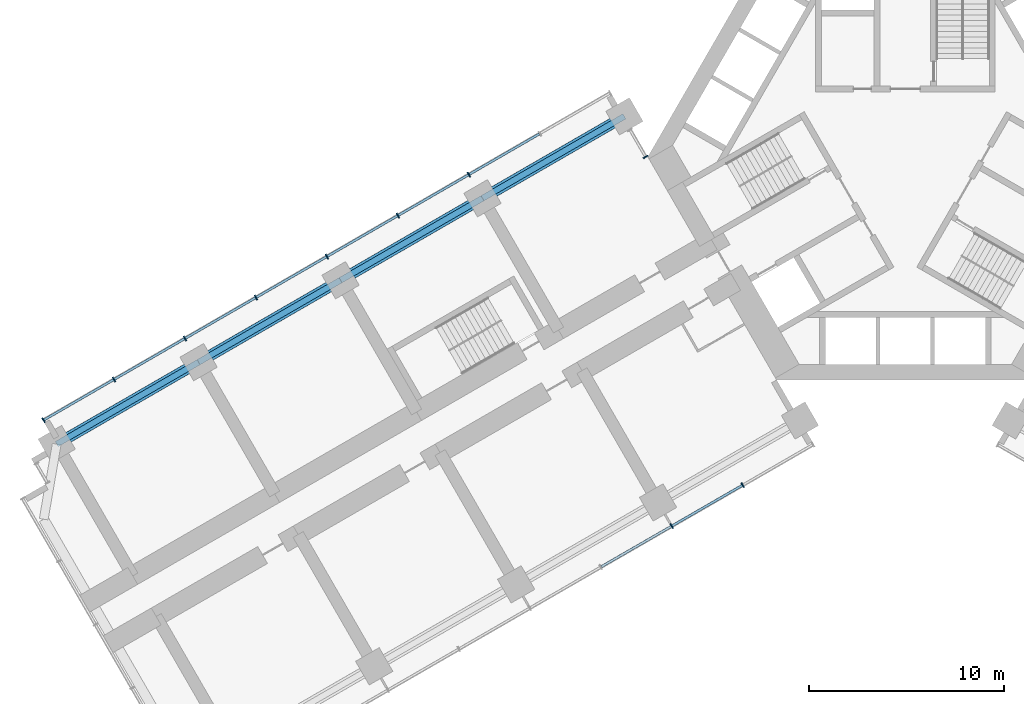
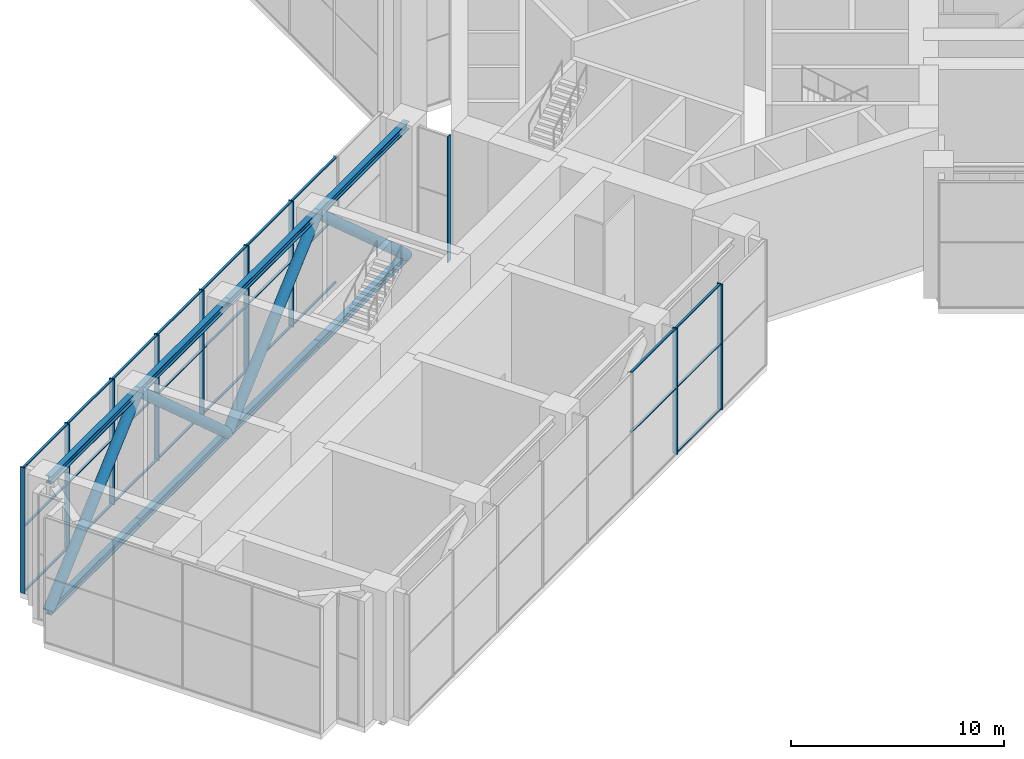
# One storey, part 3 of 19: 48 members, 3 elements without a shape of their own.
"""IFC4 building model written with IfcOpenShell, lengths in metres."""

from ifc_helpers import new_model, si_unit, direction, frame, origin, origin_2d, place, context, subcontext, project, spatial, rectangle, hollow_circle, i_section, extrude, material, material_profile, profile_set, type_object, element, aggregate, save


model = new_model("IFC4")

# Units and contexts
model_context = context("Model", 3, precision=1e-05, world=origin(), true_north=direction((0.0, 1.0)))
body_context = subcontext(model_context, "Body", "Model", "MODEL_VIEW")
ifc_project = project(units=[si_unit("LENGTHUNIT", "METRE"), si_unit("AREAUNIT", "SQUARE_METRE"), si_unit("VOLUMEUNIT", "CUBIC_METRE"), si_unit("PLANEANGLEUNIT", "RADIAN"), si_unit("MASSUNIT", "GRAM", prefix="KILO")], contexts=[model_context])

# Site, building, storey
site_placement = place(None, origin())
site = spatial("IfcSite", under=ifc_project, at=site_placement, CompositionType="ELEMENT")
building_placement = place(site_placement, origin())
building = spatial("IfcBuilding", under=site, at=building_placement, Name="Impinga Residences", CompositionType="ELEMENT")
storey_placement = place(building_placement, frame((0.0, 0.0, 93.5)))
storey = spatial("IfcBuildingStorey", under=building, at=storey_placement, Name="L23", CompositionType="ELEMENT", Elevation=93.5)

# Members
ifc_material_1 = material(Name="Steel S355", Category="steel")
ifc_material_profile_1 = material_profile(ifc_material_1, i_section(OverallWidth=0.306884765625, OverallDepth=0.431884765625, WebThickness=0.02099609375, FlangeThickness=0.0400390625, FilletRadius=0.027099609375, at=origin_2d()), Name="HE 400 M")
ifc_profile_set_1 = profile_set([ifc_material_profile_1], Name="Steel S355")
member_type_1 = type_object("IfcMemberType", Name="BT1 HE 400 M belt truss chord", PredefinedType="CHORD", material=ifc_profile_set_1)
for number, where, z_axis, x_axis, name in (
    (1, (-14.39990234375, 2.078369140625, -0.51611328125), (-0.86602925447, -0.499993330357, 0.0), (0.499993330357, -0.86602925447, 0.0), "Belt truss chord BT1 WF W1-W2 L23"),
    (2, (-14.39990234375, 2.078369140625, 6.98388671875), (-0.86602925447, -0.499993330357, 0.0), (0.499993330357, -0.86602925447, 0.0), "Belt truss chord BT1 WF W1-W2 L23"),
    (3, (-21.674560546875, -2.12158203125, -0.51611328125), (-0.86602925447, -0.499993330357, 0.0), (0.499993330357, -0.86602925447, 0.0), "Belt truss chord BT1 WF W2-W3 L23"),
    (4, (-21.674560546875, -2.12158203125, 6.98388671875), (-0.86602925447, -0.499993330357, 0.0), (0.499993330357, -0.86602925447, 0.0), "Belt truss chord BT1 WF W2-W3 L23"),
    (5, (-28.94921875, -6.321533203125, -0.51611328125), (-0.86602925447, -0.499993330357, 0.0), (0.499993330357, -0.86602925447, 0.0), "Belt truss chord BT1 WF W3-W4 L23"),
    (6, (-28.94921875, -6.321533203125, 6.98388671875), (-0.86602925447, -0.499993330357, 0.0), (0.499993330357, -0.86602925447, 0.0), "Belt truss chord BT1 WF W3-W4 L23"),
    (7, (-36.223876953125, -10.521484375, -0.51611328125), (-0.86602925447, -0.499993330357, 0.0), (0.499993330357, -0.86602925447, 0.0), "Belt truss chord BT1 WF W4-W5 L23"),
    (8, (-36.223876953125, -10.521484375, 6.98388671875), (-0.86602925447, -0.499993330357, 0.0), (0.499993330357, -0.86602925447, 0.0), "Belt truss chord BT1 WF W4-W5 L23"),
):
    element("IfcMember", number, at=place(storey_placement, frame(where, z_axis=z_axis, x_axis=x_axis)), inside=storey, type_object=member_type_1, Name=name, PredefinedType="CHORD", context=body_context, shape_type="SweptSolid", body=[
        extrude(i_section(OverallWidth=0.306884765625, OverallDepth=0.431884765625, WebThickness=0.02099609375, FlangeThickness=0.0400390625, FilletRadius=0.027099609375, at=origin_2d()), origin(), (0.0, 0.0, 1.0), 8.39990234375),
    ])
ifc_material_2 = material(Name="Steel S355J2H", Category="steel")
ifc_material_profile_2 = material_profile(ifc_material_2, hollow_circle(Radius=0.279541015625, WallThickness=0.02001953125, at=origin_2d()), Name="CHS 559x20")
ifc_profile_set_2 = profile_set([ifc_material_profile_2], Name="Steel S355J2H")
member_type_2 = type_object("IfcMemberType", Name="BT2 CHS 559x20 belt truss diagonal at L23", PredefinedType="BRACE", material=ifc_profile_set_2)
for number, where, z_axis, x_axis, name in (
    (9, (-14.39990234375, 2.078369140625, -0.51611328125), (-0.646004328005, -0.372964139164, 0.666015134285), (0.499993330357, -0.86602925447, 0.0), "Belt truss diagonal BT2 WF W1-W2 L23"),
    (10, (-21.674560546875, -2.12158203125, 6.98388671875), (-0.646004328005, -0.372964139164, -0.666015134285), (0.499993330357, -0.86602925447, 0.0), "Belt truss diagonal BT2 WF W2-W3 L23"),
    (11, (-28.94921875, -6.321533203125, -0.51611328125), (-0.646004328005, -0.372964139164, 0.666015134285), (0.499993330357, -0.86602925447, 0.0), "Belt truss diagonal BT2 WF W3-W4 L23"),
    (12, (-36.223876953125, -10.521484375, 6.98388671875), (-0.646004328005, -0.372964139164, -0.666015134285), (0.499993330357, -0.86602925447, 0.0), "Belt truss diagonal BT2 WF W4-W5 L23"),
):
    element("IfcMember", number, at=place(storey_placement, frame(where, z_axis=z_axis, x_axis=x_axis)), inside=storey, type_object=member_type_2, Name=name, PredefinedType="BRACE", context=body_context, shape_type="SweptSolid", body=[
        extrude(hollow_circle(Radius=0.279541015625, WallThickness=0.02001953125, at=origin_2d()), origin(), (0.0, 0.0, 1.0), 11.260986328125),
    ])

# Curtain wall, members
ifc_material_3 = material(Name="Aluminium stick curtain wall", Category="aluminium")
curtain_wall_type = type_object("IfcCurtainWallType", Name="CW4 plant floor louvred curtain wall", PredefinedType="USERDEFINED", material=ifc_material_3)
curtain_wall_1_placement = place(storey_placement, origin())
curtain_wall_1 = element("IfcCurtainWall", 13, at=curtain_wall_1_placement, inside=storey, type_object=curtain_wall_type, Name="Curtain wall CW4 L23", ObjectType="STICK CURTAIN WALL", PredefinedType="USERDEFINED")
ifc_material_4 = material(Name="Aluminium mullion", Category="aluminium")
ifc_material_profile_3 = material_profile(ifc_material_4, rectangle(XDim=0.06005859375, YDim=0.27490234375, at=origin_2d()), Name="60x275 mullion")
ifc_profile_set_3 = profile_set([ifc_material_profile_3], Name="Aluminium mullion")
member_type_3 = type_object("IfcMemberType", Name="CW4-M mullion 60x275", PredefinedType="MULLION", material=ifc_profile_set_3)
member_1_placement = place(storey_placement, frame((-44.17236328125, -13.494140625, 0.0), z_axis=(0.0, 0.0, 1.0), x_axis=(0.866025407005, 0.499999994423, 0.0)))
member_1 = element("IfcMember", 14, at=member_1_placement, type_object=member_type_3, Name="CW4 mullion 1", PredefinedType="MULLION", context=body_context, shape_type="SweptSolid", body=[
    extrude(rectangle(XDim=0.06005859375, YDim=0.27490234375, at=origin_2d()), origin(), (0.0, 0.0, 1.0), 7.199951171875),
])
member_2_placement = place(storey_placement, frame((-40.56103515625, -11.4091796875, 0.0), z_axis=(0.0, 0.0, 1.0), x_axis=(0.866025407005, 0.499999994423, 0.0)))
member_2 = element("IfcMember", 15, at=member_2_placement, type_object=member_type_3, Name="CW4 mullion 2", PredefinedType="MULLION", context=body_context, shape_type="SweptSolid", body=[
    extrude(rectangle(XDim=0.06005859375, YDim=0.27490234375, at=origin_2d()), origin(), (0.0, 0.0, 1.0), 7.199951171875),
])
member_3_placement = place(storey_placement, frame((-36.923828125, -9.30908203125, 0.0), z_axis=(0.0, 0.0, 1.0), x_axis=(0.866025407005, 0.499999994423, 0.0)))
member_3 = element("IfcMember", 16, at=member_3_placement, type_object=member_type_3, Name="CW4 mullion 3", PredefinedType="MULLION", context=body_context, shape_type="SweptSolid", body=[
    extrude(rectangle(XDim=0.06005859375, YDim=0.27490234375, at=origin_2d()), origin(), (0.0, 0.0, 1.0), 7.199951171875),
])
member_4_placement = place(storey_placement, frame((-33.28662109375, -7.208984375, 0.0), z_axis=(0.0, 0.0, 1.0), x_axis=(0.866025407005, 0.499999994423, 0.0)))
member_4 = element("IfcMember", 17, at=member_4_placement, type_object=member_type_3, Name="CW4 mullion 4", PredefinedType="MULLION", context=body_context, shape_type="SweptSolid", body=[
    extrude(rectangle(XDim=0.06005859375, YDim=0.27490234375, at=origin_2d()), origin(), (0.0, 0.0, 1.0), 7.199951171875),
])
member_5_placement = place(storey_placement, frame((-29.649169921875, -5.109130859375, 0.0), z_axis=(0.0, 0.0, 1.0), x_axis=(0.866025407005, 0.499999994423, 0.0)))
member_5 = element("IfcMember", 18, at=member_5_placement, type_object=member_type_3, Name="CW4 mullion 5", PredefinedType="MULLION", context=body_context, shape_type="SweptSolid", body=[
    extrude(rectangle(XDim=0.06005859375, YDim=0.27490234375, at=origin_2d()), origin(), (0.0, 0.0, 1.0), 7.199951171875),
])
member_6_placement = place(storey_placement, frame((-26.011962890625, -3.009033203125, 0.0), z_axis=(0.0, 0.0, 1.0), x_axis=(0.866025407005, 0.499999994423, 0.0)))
member_6 = element("IfcMember", 19, at=member_6_placement, type_object=member_type_3, Name="CW4 mullion 6", PredefinedType="MULLION", context=body_context, shape_type="SweptSolid", body=[
    extrude(rectangle(XDim=0.06005859375, YDim=0.27490234375, at=origin_2d()), origin(), (0.0, 0.0, 1.0), 7.199951171875),
])
member_7_placement = place(storey_placement, frame((-22.37451171875, -0.9091796875, 0.0), z_axis=(0.0, 0.0, 1.0), x_axis=(0.866025407005, 0.499999994423, 0.0)))
member_7 = element("IfcMember", 20, at=member_7_placement, type_object=member_type_3, Name="CW4 mullion 7", PredefinedType="MULLION", context=body_context, shape_type="SweptSolid", body=[
    extrude(rectangle(XDim=0.06005859375, YDim=0.27490234375, at=origin_2d()), origin(), (0.0, 0.0, 1.0), 7.199951171875),
])

# Curtain wall, member
curtain_wall_2_placement = place(storey_placement, origin())
curtain_wall_2 = element("IfcCurtainWall", 21, at=curtain_wall_2_placement, inside=storey, type_object=curtain_wall_type, Name="Curtain wall CW4 L23", ObjectType="STICK CURTAIN WALL", PredefinedType="USERDEFINED")
member_8_placement = place(storey_placement, frame((-13.314208984375, -0.002197265625, 0.0), z_axis=(0.0, 0.0, 1.0), x_axis=(0.500000069952, -0.866025363398, 0.0)))
member_8 = element("IfcMember", 22, at=member_8_placement, type_object=member_type_3, Name="CW4 mullion 2", PredefinedType="MULLION", context=body_context, shape_type="SweptSolid", body=[
    extrude(rectangle(XDim=0.06005859375, YDim=0.27490234375, at=origin_2d()), origin(), (0.0, 0.0, 1.0), 7.199951171875),
])
aggregate(curtain_wall_2, [member_8])

# Curtain wall, members
curtain_wall_3_placement = place(storey_placement, origin())
curtain_wall_3 = element("IfcCurtainWall", 23, at=curtain_wall_3_placement, inside=storey, type_object=curtain_wall_type, Name="Curtain wall CW4 L23", ObjectType="STICK CURTAIN WALL", PredefinedType="USERDEFINED")
member_9_placement = place(storey_placement, frame((-8.33740234375, -16.822509765625, 0.0), z_axis=(0.0, 0.0, 1.0), x_axis=(-0.866025407005, -0.499999994423, 0.0)))
member_9 = element("IfcMember", 24, at=member_9_placement, type_object=member_type_3, Name="CW4 mullion 2", PredefinedType="MULLION", context=body_context, shape_type="SweptSolid", body=[
    extrude(rectangle(XDim=0.06005859375, YDim=0.27490234375, at=origin_2d()), origin(), (0.0, 0.0, 1.0), 7.199951171875),
])
member_10_placement = place(storey_placement, frame((-11.974609375, -18.92236328125, 0.0), z_axis=(0.0, 0.0, 1.0), x_axis=(-0.866025407005, -0.499999994423, 0.0)))
member_10 = element("IfcMember", 25, at=member_10_placement, type_object=member_type_3, Name="CW4 mullion 3", PredefinedType="MULLION", context=body_context, shape_type="SweptSolid", body=[
    extrude(rectangle(XDim=0.06005859375, YDim=0.27490234375, at=origin_2d()), origin(), (0.0, 0.0, 1.0), 7.199951171875),
])

# Member
ifc_material_5 = material(Name="Aluminium transom", Category="aluminium")
ifc_material_profile_4 = material_profile(ifc_material_5, rectangle(XDim=0.06005859375, YDim=0.1201171875, at=origin_2d()), Name="60x120 transom")
ifc_profile_set_4 = profile_set([ifc_material_profile_4], Name="Aluminium transom")
member_type_4 = type_object("IfcMemberType", Name="CW4-T transom 60x120", PredefinedType="USERDEFINED", material=ifc_profile_set_4)
member_11_placement = place(storey_placement, frame((-44.146484375, -13.47900390625, 0.030029296875), z_axis=(0.866030279993, 0.499991554064, 0.0), x_axis=(0.0, 0.0, 1.0)))
member_11 = element("IfcMember", 26, at=member_11_placement, type_object=member_type_4, Name="CW4 transom 1.1", ObjectType="TRANSOM", PredefinedType="USERDEFINED", context=body_context, shape_type="SweptSolid", body=[
    extrude(rectangle(XDim=0.06005859375, YDim=0.1201171875, at=origin_2d()), origin(), (0.0, 0.0, 1.0), 4.10986328125),
])

member_12_placement = place(storey_placement, frame((-44.146484375, -13.47900390625, 3.75), z_axis=(0.866030279993, 0.499991554064, 0.0), x_axis=(0.0, 0.0, 1.0)))
member_12 = element("IfcMember", 27, at=member_12_placement, type_object=member_type_4, Name="CW4 transom 1.2", ObjectType="TRANSOM", PredefinedType="USERDEFINED", context=body_context, shape_type="SweptSolid", body=[
    extrude(rectangle(XDim=0.06005859375, YDim=0.1201171875, at=origin_2d()), origin(), (0.0, 0.0, 1.0), 4.10986328125),
])

member_13_placement = place(storey_placement, frame((-44.146484375, -13.47900390625, 7.169921875), z_axis=(0.866030279993, 0.499991554064, 0.0), x_axis=(0.0, 0.0, 1.0)))
member_13 = element("IfcMember", 28, at=member_13_placement, type_object=member_type_4, Name="CW4 transom 1.3", ObjectType="TRANSOM", PredefinedType="USERDEFINED", context=body_context, shape_type="SweptSolid", body=[
    extrude(rectangle(XDim=0.06005859375, YDim=0.1201171875, at=origin_2d()), origin(), (0.0, 0.0, 1.0), 4.10986328125),
])

member_14_placement = place(storey_placement, frame((-40.53515625, -11.39404296875, 0.030029296875), z_axis=(0.866050071143, 0.499957272447, 0.0), x_axis=(0.0, 0.0, 1.0)))
member_14 = element("IfcMember", 29, at=member_14_placement, type_object=member_type_4, Name="CW4 transom 2.1", ObjectType="TRANSOM", PredefinedType="USERDEFINED", context=body_context, shape_type="SweptSolid", body=[
    extrude(rectangle(XDim=0.06005859375, YDim=0.1201171875, at=origin_2d()), origin(), (0.0, 0.0, 1.0), 4.139892578125),
])

member_15_placement = place(storey_placement, frame((-40.53515625, -11.39404296875, 3.75), z_axis=(0.866050071143, 0.499957272447, 0.0), x_axis=(0.0, 0.0, 1.0)))
member_15 = element("IfcMember", 30, at=member_15_placement, type_object=member_type_4, Name="CW4 transom 2.2", ObjectType="TRANSOM", PredefinedType="USERDEFINED", context=body_context, shape_type="SweptSolid", body=[
    extrude(rectangle(XDim=0.06005859375, YDim=0.1201171875, at=origin_2d()), origin(), (0.0, 0.0, 1.0), 4.139892578125),
])

member_16_placement = place(storey_placement, frame((-40.53515625, -11.39404296875, 7.169921875), z_axis=(0.866050071143, 0.499957272447, 0.0), x_axis=(0.0, 0.0, 1.0)))
member_16 = element("IfcMember", 31, at=member_16_placement, type_object=member_type_4, Name="CW4 transom 2.3", ObjectType="TRANSOM", PredefinedType="USERDEFINED", context=body_context, shape_type="SweptSolid", body=[
    extrude(rectangle(XDim=0.06005859375, YDim=0.1201171875, at=origin_2d()), origin(), (0.0, 0.0, 1.0), 4.139892578125),
])

member_17_placement = place(storey_placement, frame((-36.89794921875, -9.294189453125, 0.030029296875), z_axis=(0.866024536972, 0.500001501361, 0.0), x_axis=(0.0, 0.0, 1.0)))
member_17 = element("IfcMember", 32, at=member_17_placement, type_object=member_type_4, Name="CW4 transom 3.1", ObjectType="TRANSOM", PredefinedType="USERDEFINED", context=body_context, shape_type="SweptSolid", body=[
    extrude(rectangle(XDim=0.06005859375, YDim=0.1201171875, at=origin_2d()), origin(), (0.0, 0.0, 1.0), 4.14013671875),
])

member_18_placement = place(storey_placement, frame((-36.89794921875, -9.294189453125, 3.75), z_axis=(0.866024536972, 0.500001501361, 0.0), x_axis=(0.0, 0.0, 1.0)))
member_18 = element("IfcMember", 33, at=member_18_placement, type_object=member_type_4, Name="CW4 transom 3.2", ObjectType="TRANSOM", PredefinedType="USERDEFINED", context=body_context, shape_type="SweptSolid", body=[
    extrude(rectangle(XDim=0.06005859375, YDim=0.1201171875, at=origin_2d()), origin(), (0.0, 0.0, 1.0), 4.14013671875),
])

member_19_placement = place(storey_placement, frame((-36.89794921875, -9.294189453125, 7.169921875), z_axis=(0.866024536972, 0.500001501361, 0.0), x_axis=(0.0, 0.0, 1.0)))
member_19 = element("IfcMember", 34, at=member_19_placement, type_object=member_type_4, Name="CW4 transom 3.3", ObjectType="TRANSOM", PredefinedType="USERDEFINED", context=body_context, shape_type="SweptSolid", body=[
    extrude(rectangle(XDim=0.06005859375, YDim=0.1201171875, at=origin_2d()), origin(), (0.0, 0.0, 1.0), 4.14013671875),
])

member_20_placement = place(storey_placement, frame((-33.260498046875, -7.194091796875, 0.030029296875), z_axis=(0.866009793405, 0.500027036996, 0.0), x_axis=(0.0, 0.0, 1.0)))
member_20 = element("IfcMember", 35, at=member_20_placement, type_object=member_type_4, Name="CW4 transom 4.1", ObjectType="TRANSOM", PredefinedType="USERDEFINED", context=body_context, shape_type="SweptSolid", body=[
    extrude(rectangle(XDim=0.06005859375, YDim=0.1201171875, at=origin_2d()), origin(), (0.0, 0.0, 1.0), 4.139892578125),
])

member_21_placement = place(storey_placement, frame((-33.260498046875, -7.194091796875, 3.75), z_axis=(0.866009793405, 0.500027036996, 0.0), x_axis=(0.0, 0.0, 1.0)))
member_21 = element("IfcMember", 36, at=member_21_placement, type_object=member_type_4, Name="CW4 transom 4.2", ObjectType="TRANSOM", PredefinedType="USERDEFINED", context=body_context, shape_type="SweptSolid", body=[
    extrude(rectangle(XDim=0.06005859375, YDim=0.1201171875, at=origin_2d()), origin(), (0.0, 0.0, 1.0), 4.139892578125),
])

member_22_placement = place(storey_placement, frame((-33.260498046875, -7.194091796875, 7.169921875), z_axis=(0.866009793405, 0.500027036996, 0.0), x_axis=(0.0, 0.0, 1.0)))
member_22 = element("IfcMember", 37, at=member_22_placement, type_object=member_type_4, Name="CW4 transom 4.3", ObjectType="TRANSOM", PredefinedType="USERDEFINED", context=body_context, shape_type="SweptSolid", body=[
    extrude(rectangle(XDim=0.06005859375, YDim=0.1201171875, at=origin_2d()), origin(), (0.0, 0.0, 1.0), 4.139892578125),
])

member_23_placement = place(storey_placement, frame((-29.623291015625, -5.093994140625, 0.030029296875), z_axis=(0.866050071143, 0.499957272447, 0.0), x_axis=(0.0, 0.0, 1.0)))
member_23 = element("IfcMember", 38, at=member_23_placement, type_object=member_type_4, Name="CW4 transom 5.1", ObjectType="TRANSOM", PredefinedType="USERDEFINED", context=body_context, shape_type="SweptSolid", body=[
    extrude(rectangle(XDim=0.06005859375, YDim=0.1201171875, at=origin_2d()), origin(), (0.0, 0.0, 1.0), 4.139892578125),
])

member_24_placement = place(storey_placement, frame((-29.623291015625, -5.093994140625, 3.75), z_axis=(0.866050071143, 0.499957272447, 0.0), x_axis=(0.0, 0.0, 1.0)))
member_24 = element("IfcMember", 39, at=member_24_placement, type_object=member_type_4, Name="CW4 transom 5.2", ObjectType="TRANSOM", PredefinedType="USERDEFINED", context=body_context, shape_type="SweptSolid", body=[
    extrude(rectangle(XDim=0.06005859375, YDim=0.1201171875, at=origin_2d()), origin(), (0.0, 0.0, 1.0), 4.139892578125),
])

member_25_placement = place(storey_placement, frame((-29.623291015625, -5.093994140625, 7.169921875), z_axis=(0.866050071143, 0.499957272447, 0.0), x_axis=(0.0, 0.0, 1.0)))
member_25 = element("IfcMember", 40, at=member_25_placement, type_object=member_type_4, Name="CW4 transom 5.3", ObjectType="TRANSOM", PredefinedType="USERDEFINED", context=body_context, shape_type="SweptSolid", body=[
    extrude(rectangle(XDim=0.06005859375, YDim=0.1201171875, at=origin_2d()), origin(), (0.0, 0.0, 1.0), 4.139892578125),
])

member_26_placement = place(storey_placement, frame((-25.98583984375, -2.994140625, 0.030029296875), z_axis=(0.866009793405, 0.500027036996, 0.0), x_axis=(0.0, 0.0, 1.0)))
member_26 = element("IfcMember", 41, at=member_26_placement, type_object=member_type_4, Name="CW4 transom 6.1", ObjectType="TRANSOM", PredefinedType="USERDEFINED", context=body_context, shape_type="SweptSolid", body=[
    extrude(rectangle(XDim=0.06005859375, YDim=0.1201171875, at=origin_2d()), origin(), (0.0, 0.0, 1.0), 4.139892578125),
])

member_27_placement = place(storey_placement, frame((-25.98583984375, -2.994140625, 3.75), z_axis=(0.866009793405, 0.500027036996, 0.0), x_axis=(0.0, 0.0, 1.0)))
member_27 = element("IfcMember", 42, at=member_27_placement, type_object=member_type_4, Name="CW4 transom 6.2", ObjectType="TRANSOM", PredefinedType="USERDEFINED", context=body_context, shape_type="SweptSolid", body=[
    extrude(rectangle(XDim=0.06005859375, YDim=0.1201171875, at=origin_2d()), origin(), (0.0, 0.0, 1.0), 4.139892578125),
])

member_28_placement = place(storey_placement, frame((-25.98583984375, -2.994140625, 7.169921875), z_axis=(0.866009793405, 0.500027036996, 0.0), x_axis=(0.0, 0.0, 1.0)))
member_28 = element("IfcMember", 43, at=member_28_placement, type_object=member_type_4, Name="CW4 transom 6.3", ObjectType="TRANSOM", PredefinedType="USERDEFINED", context=body_context, shape_type="SweptSolid", body=[
    extrude(rectangle(XDim=0.06005859375, YDim=0.1201171875, at=origin_2d()), origin(), (0.0, 0.0, 1.0), 4.139892578125),
])

member_29_placement = place(storey_placement, frame((-22.3486328125, -0.89404296875, 0.030029296875), z_axis=(0.866050071143, 0.499957272447, 0.0), x_axis=(0.0, 0.0, 1.0)))
member_29 = element("IfcMember", 44, at=member_29_placement, type_object=member_type_4, Name="CW4 transom 7.1", ObjectType="TRANSOM", PredefinedType="USERDEFINED", context=body_context, shape_type="SweptSolid", body=[
    extrude(rectangle(XDim=0.06005859375, YDim=0.1201171875, at=origin_2d()), origin(), (0.0, 0.0, 1.0), 4.139892578125),
])

member_30_placement = place(storey_placement, frame((-22.3486328125, -0.89404296875, 3.75), z_axis=(0.866050071143, 0.499957272447, 0.0), x_axis=(0.0, 0.0, 1.0)))
member_30 = element("IfcMember", 45, at=member_30_placement, type_object=member_type_4, Name="CW4 transom 7.2", ObjectType="TRANSOM", PredefinedType="USERDEFINED", context=body_context, shape_type="SweptSolid", body=[
    extrude(rectangle(XDim=0.06005859375, YDim=0.1201171875, at=origin_2d()), origin(), (0.0, 0.0, 1.0), 4.139892578125),
])

member_31_placement = place(storey_placement, frame((-22.3486328125, -0.89404296875, 7.169921875), z_axis=(0.866050071143, 0.499957272447, 0.0), x_axis=(0.0, 0.0, 1.0)))
member_31 = element("IfcMember", 46, at=member_31_placement, type_object=member_type_4, Name="CW4 transom 7.3", ObjectType="TRANSOM", PredefinedType="USERDEFINED", context=body_context, shape_type="SweptSolid", body=[
    extrude(rectangle(XDim=0.06005859375, YDim=0.1201171875, at=origin_2d()), origin(), (0.0, 0.0, 1.0), 4.139892578125),
])

aggregate(curtain_wall_1, [member_1, member_2, member_3, member_4, member_5, member_6, member_7, member_11, member_12, member_13, member_14, member_15, member_16, member_17, member_18, member_19, member_20, member_21, member_22, member_23, member_24, member_25, member_26, member_27, member_28, member_29, member_30, member_31])

member_32_placement = place(storey_placement, frame((-8.36328125, -16.83740234375, 0.030029296875), z_axis=(-0.866024536972, -0.500001501361, 0.0), x_axis=(0.0, 0.0, 1.0)))
member_32 = element("IfcMember", 47, at=member_32_placement, type_object=member_type_4, Name="CW4 transom 2.1", ObjectType="TRANSOM", PredefinedType="USERDEFINED", context=body_context, shape_type="SweptSolid", body=[
    extrude(rectangle(XDim=0.06005859375, YDim=0.1201171875, at=origin_2d()), origin(), (0.0, 0.0, 1.0), 4.14013671875),
])

member_33_placement = place(storey_placement, frame((-8.36328125, -16.83740234375, 3.75), z_axis=(-0.866024536972, -0.500001501361, 0.0), x_axis=(0.0, 0.0, 1.0)))
member_33 = element("IfcMember", 48, at=member_33_placement, type_object=member_type_4, Name="CW4 transom 2.2", ObjectType="TRANSOM", PredefinedType="USERDEFINED", context=body_context, shape_type="SweptSolid", body=[
    extrude(rectangle(XDim=0.06005859375, YDim=0.1201171875, at=origin_2d()), origin(), (0.0, 0.0, 1.0), 4.14013671875),
])

member_34_placement = place(storey_placement, frame((-8.36328125, -16.83740234375, 7.169921875), z_axis=(-0.866024536972, -0.500001501361, 0.0), x_axis=(0.0, 0.0, 1.0)))
member_34 = element("IfcMember", 49, at=member_34_placement, type_object=member_type_4, Name="CW4 transom 2.3", ObjectType="TRANSOM", PredefinedType="USERDEFINED", context=body_context, shape_type="SweptSolid", body=[
    extrude(rectangle(XDim=0.06005859375, YDim=0.1201171875, at=origin_2d()), origin(), (0.0, 0.0, 1.0), 4.14013671875),
])

member_35_placement = place(storey_placement, frame((-12.00048828125, -18.9375, 3.75), z_axis=(-0.866050071143, -0.499957272447, 0.0), x_axis=(0.0, 0.0, 1.0)))
member_35 = element("IfcMember", 50, at=member_35_placement, type_object=member_type_4, Name="CW4 transom 3.2", ObjectType="TRANSOM", PredefinedType="USERDEFINED", context=body_context, shape_type="SweptSolid", body=[
    extrude(rectangle(XDim=0.06005859375, YDim=0.1201171875, at=origin_2d()), origin(), (0.0, 0.0, 1.0), 4.139892578125),
])

member_36_placement = place(storey_placement, frame((-12.00048828125, -18.9375, 7.169921875), z_axis=(-0.866050071143, -0.499957272447, 0.0), x_axis=(0.0, 0.0, 1.0)))
member_36 = element("IfcMember", 51, at=member_36_placement, type_object=member_type_4, Name="CW4 transom 3.3", ObjectType="TRANSOM", PredefinedType="USERDEFINED", context=body_context, shape_type="SweptSolid", body=[
    extrude(rectangle(XDim=0.06005859375, YDim=0.1201171875, at=origin_2d()), origin(), (0.0, 0.0, 1.0), 4.139892578125),
])

aggregate(curtain_wall_3, [member_9, member_10, member_32, member_33, member_34, member_35, member_36])

save(model, "model.ifc")
